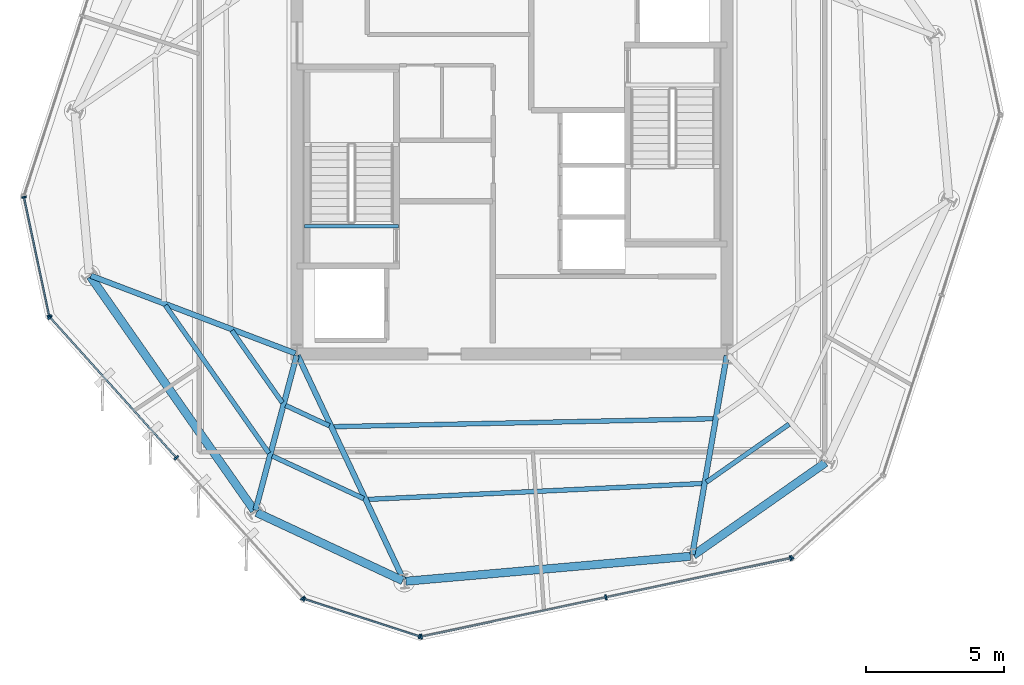
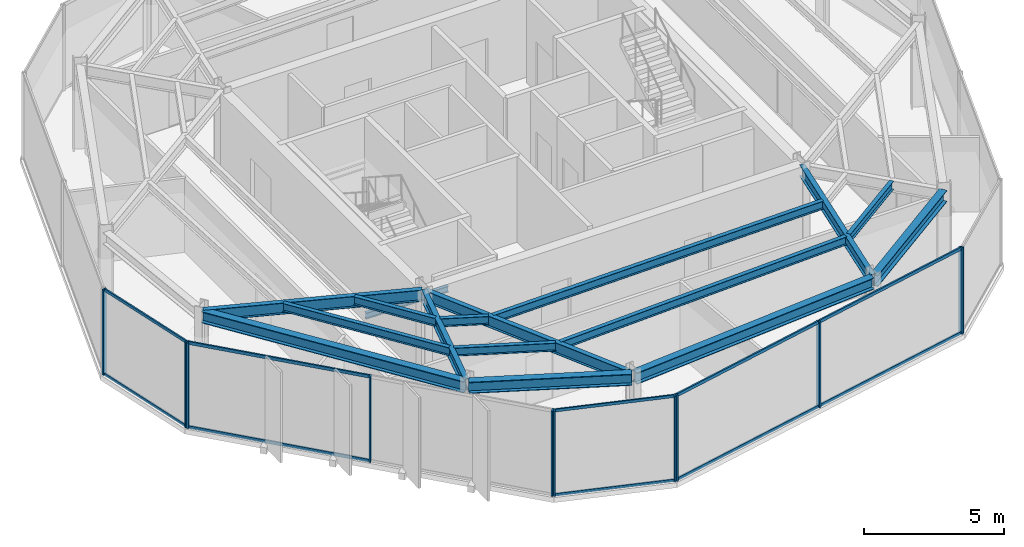
# One storey, part 2 of 13: 21 members, 16 beams, 5 elements without a shape of their own.
"""IFC4 building model written with IfcOpenShell, lengths in metres."""

from ifc_helpers import new_model, si_unit, direction, frame, origin, origin_2d, place, context, subcontext, project, spatial, rectangle, i_section, extrude, material, layer, layer_set, material_profile, profile_set, type_object, element, aggregate, save


model = new_model("IFC4")

# Units and contexts
model_context = context("Model", 3, precision=1e-05, world=origin(), true_north=direction((0.0, 1.0)))
body_context = subcontext(model_context, "Body", "Model", "MODEL_VIEW")
ifc_project = project(units=[si_unit("LENGTHUNIT", "METRE"), si_unit("AREAUNIT", "SQUARE_METRE"), si_unit("VOLUMEUNIT", "CUBIC_METRE"), si_unit("PLANEANGLEUNIT", "RADIAN"), si_unit("MASSUNIT", "GRAM", prefix="KILO")], contexts=[model_context])

# Site, building, storey
site_placement = place(None, origin())
site = spatial("IfcSite", under=ifc_project, at=site_placement, CompositionType="ELEMENT")
building_placement = place(site_placement, origin())
building = spatial("IfcBuilding", under=site, at=building_placement, Name="Kranzbogen Civic Tower", CompositionType="ELEMENT")
storey_placement = place(building_placement, frame((0.0, 0.0, 314.199951171875)))
storey = spatial("IfcBuildingStorey", under=building, at=storey_placement, Name="L76", CompositionType="ELEMENT", Elevation=314.199951171875)

# Curtain wall, members
ifc_material_1 = material(Name="Pale Anodised Aluminium", Category="aluminium")
ifc_layer_1 = layer(ifc_material_1, 0.219970703125, Name="Pale Anodised Aluminium")
ifc_layer_set_1 = layer_set([ifc_layer_1], Name="Pale Anodised Aluminium")
curtain_wall_type_1 = type_object("IfcCurtainWallType", Name="Chamfer Facet Stick Curtain Wall System CW-06", PredefinedType="USERDEFINED", material=ifc_layer_set_1)
curtain_wall_1_placement = place(storey_placement, origin())
curtain_wall_1 = element("IfcCurtainWall", 1, at=curtain_wall_1_placement, inside=storey, type_object=curtain_wall_type_1, Name="L76 curtain wall CW-L76-C2", ObjectType="STICK CURTAIN WALL", PredefinedType="USERDEFINED")
ifc_material_profile_1 = material_profile(ifc_material_1, rectangle(XDim=0.06005859375, YDim=0.159912109375, at=origin_2d()), Name="ALU-M 60x160")
ifc_profile_set_1 = profile_set([ifc_material_profile_1], Name="Pale Anodised Aluminium")
member_type_1 = type_object("IfcMemberType", Name="Curtain Wall Mullion ALU-M 60x160", PredefinedType="MULLION", material=ifc_profile_set_1)
member_1_placement = place(storey_placement, frame((7.294189453125, 23.48876953125, 0.0), z_axis=(0.0, 0.0, 1.0), x_axis=(0.207815902792, -0.978167956205, 0.0)))
member_1 = element("IfcMember", 2, at=member_1_placement, type_object=member_type_1, Name="CW-06 mullion 1", PredefinedType="MULLION", context=body_context, shape_type="SweptSolid", body=[
    extrude(rectangle(XDim=0.06005859375, YDim=0.159912109375, at=origin_2d()), origin(), (0.0, 0.0, 1.0), 3.739990234375),
])
member_2_placement = place(storey_placement, frame((8.209716796875, 19.179443359375, 0.0), z_axis=(0.0, 0.0, 1.0), x_axis=(0.207815902792, -0.978167956205, 0.0)))
member_2 = element("IfcMember", 3, at=member_2_placement, type_object=member_type_1, Name="CW-06 mullion 2", PredefinedType="MULLION", context=body_context, shape_type="SweptSolid", body=[
    extrude(rectangle(XDim=0.06005859375, YDim=0.159912109375, at=origin_2d()), origin(), (0.0, 0.0, 1.0), 3.739990234375),
])

curtain_wall_2_placement = place(storey_placement, origin())
curtain_wall_2 = element("IfcCurtainWall", 4, at=curtain_wall_2_placement, inside=storey, type_object=curtain_wall_type_1, Name="L76 curtain wall CW-L76-C3", ObjectType="STICK CURTAIN WALL", PredefinedType="USERDEFINED")
member_3_placement = place(storey_placement, frame((17.45654296875, 8.91064453125, 0.0), z_axis=(0.0, 0.0, 1.0), x_axis=(0.951030776673, -0.309096201564, 0.0)))
member_3 = element("IfcMember", 5, at=member_3_placement, type_object=member_type_1, Name="CW-06 mullion 1", PredefinedType="MULLION", context=body_context, shape_type="SweptSolid", body=[
    extrude(rectangle(XDim=0.06005859375, YDim=0.159912109375, at=origin_2d()), origin(), (0.0, 0.0, 1.0), 3.739990234375),
])
member_4_placement = place(storey_placement, frame((21.6455078125, 7.54931640625, 0.0), z_axis=(0.0, 0.0, 1.0), x_axis=(0.951030776673, -0.309096201564, 0.0)))
member_4 = element("IfcMember", 6, at=member_4_placement, type_object=member_type_1, Name="CW-06 mullion 2", PredefinedType="MULLION", context=body_context, shape_type="SweptSolid", body=[
    extrude(rectangle(XDim=0.06005859375, YDim=0.159912109375, at=origin_2d()), origin(), (0.0, 0.0, 1.0), 3.739990234375),
])

# Curtain wall, member
curtain_wall_3_placement = place(storey_placement, origin())
curtain_wall_3 = element("IfcCurtainWall", 7, at=curtain_wall_3_placement, inside=storey, type_object=curtain_wall_type_1, Name="L76 curtain wall CW-L76-C4", ObjectType="STICK CURTAIN WALL", PredefinedType="USERDEFINED")
member_5_placement = place(storey_placement, frame((35.162353515625, 10.422119140625, 0.0), z_axis=(0.0, 0.0, 1.0), x_axis=(0.743205037915, 0.669063727621, 0.0)))
member_5 = element("IfcMember", 8, at=member_5_placement, type_object=member_type_1, Name="CW-06 mullion 1", PredefinedType="MULLION", context=body_context, shape_type="SweptSolid", body=[
    extrude(rectangle(XDim=0.06005859375, YDim=0.159912109375, at=origin_2d()), origin(), (0.0, 0.0, 1.0), 3.739990234375),
])
aggregate(curtain_wall_3, [member_5])

# Curtain wall, members
ifc_layer_2 = layer(ifc_material_1, 0.219970703125, Name="Pale Anodised Aluminium")
ifc_layer_set_2 = layer_set([ifc_layer_2], Name="Pale Anodised Aluminium")
curtain_wall_type_2 = type_object("IfcCurtainWallType", Name="Zone 4 Stick Curtain Wall System CW-05", PredefinedType="USERDEFINED", material=ifc_layer_set_2)
curtain_wall_4_placement = place(storey_placement, origin())
curtain_wall_4 = element("IfcCurtainWall", 9, at=curtain_wall_4_placement, inside=storey, type_object=curtain_wall_type_2, Name="L76 curtain wall CW-L76-F3", ObjectType="STICK CURTAIN WALL", PredefinedType="USERDEFINED")
ifc_material_profile_2 = material_profile(ifc_material_1, rectangle(XDim=0.06494140625, YDim=0.179931640625, at=origin_2d()), Name="ALU-M 65x180")
ifc_profile_set_2 = profile_set([ifc_material_profile_2], Name="Pale Anodised Aluminium")
member_type_2 = type_object("IfcMemberType", Name="Curtain Wall Mullion ALU-M 65x180", PredefinedType="MULLION", material=ifc_profile_set_2)
member_6_placement = place(storey_placement, frame((8.236083984375, 19.127685546875, 0.0), z_axis=(0.0, 0.0, 1.0), x_axis=(0.669165371932, -0.743113520943, 0.0)))
member_6 = element("IfcMember", 10, at=member_6_placement, type_object=member_type_2, Name="CW-05 mullion 1", PredefinedType="MULLION", context=body_context, shape_type="SweptSolid", body=[
    extrude(rectangle(XDim=0.06494140625, YDim=0.179931640625, at=origin_2d()), origin(), (0.0, 0.0, 1.0), 3.739990234375),
])
member_7_placement = place(storey_placement, frame((12.822021484375, 14.034912109375, 0.0), z_axis=(0.0, 0.0, 1.0), x_axis=(0.669165371932, -0.743113520943, 0.0)))
member_7 = element("IfcMember", 11, at=member_7_placement, type_object=member_type_2, Name="CW-05 mullion 2", PredefinedType="MULLION", context=body_context, shape_type="SweptSolid", body=[
    extrude(rectangle(XDim=0.06494140625, YDim=0.179931640625, at=origin_2d()), origin(), (0.0, 0.0, 1.0), 3.739990234375),
])
member_8_placement = place(storey_placement, frame((17.407958984375, 8.9423828125, 0.0), z_axis=(0.0, 0.0, 1.0), x_axis=(0.669165371932, -0.743113520943, 0.0)))
member_8 = element("IfcMember", 12, at=member_8_placement, type_object=member_type_2, Name="CW-05 mullion 3", PredefinedType="MULLION", context=body_context, shape_type="SweptSolid", body=[
    extrude(rectangle(XDim=0.06494140625, YDim=0.179931640625, at=origin_2d()), origin(), (0.0, 0.0, 1.0), 3.739990234375),
])

curtain_wall_5_placement = place(storey_placement, origin())
curtain_wall_5 = element("IfcCurtainWall", 13, at=curtain_wall_5_placement, inside=storey, type_object=curtain_wall_type_2, Name="L76 curtain wall CW-L76-F4", ObjectType="STICK CURTAIN WALL", PredefinedType="USERDEFINED")
member_9_placement = place(storey_placement, frame((21.703369140625, 7.546142578125, 0.0), z_axis=(0.0, 0.0, 1.0), x_axis=(0.978151835177, 0.207891768333, 0.0)))
member_9 = element("IfcMember", 14, at=member_9_placement, type_object=member_type_2, Name="CW-05 mullion 1", PredefinedType="MULLION", context=body_context, shape_type="SweptSolid", body=[
    extrude(rectangle(XDim=0.06494140625, YDim=0.179931640625, at=origin_2d()), origin(), (0.0, 0.0, 1.0), 3.739990234375),
])
member_10_placement = place(storey_placement, frame((28.406982421875, 8.970947265625, 0.0), z_axis=(0.0, 0.0, 1.0), x_axis=(0.978151835177, 0.207891768333, 0.0)))
member_10 = element("IfcMember", 15, at=member_10_placement, type_object=member_type_2, Name="CW-05 mullion 2", PredefinedType="MULLION", context=body_context, shape_type="SweptSolid", body=[
    extrude(rectangle(XDim=0.06494140625, YDim=0.179931640625, at=origin_2d()), origin(), (0.0, 0.0, 1.0), 3.739990234375),
])
member_11_placement = place(storey_placement, frame((35.110595703125, 10.395751953125, 0.0), z_axis=(0.0, 0.0, 1.0), x_axis=(0.978151835177, 0.207891768333, 0.0)))
member_11 = element("IfcMember", 16, at=member_11_placement, type_object=member_type_2, Name="CW-05 mullion 3", PredefinedType="MULLION", context=body_context, shape_type="SweptSolid", body=[
    extrude(rectangle(XDim=0.06494140625, YDim=0.179931640625, at=origin_2d()), origin(), (0.0, 0.0, 1.0), 3.739990234375),
])

# Member
ifc_material_profile_3 = material_profile(ifc_material_1, rectangle(XDim=0.06005859375, YDim=0.1201171875, at=origin_2d()), Name="ALU-T 60x120")
ifc_profile_set_3 = profile_set([ifc_material_profile_3], Name="Pale Anodised Aluminium")
member_type_3 = type_object("IfcMemberType", Name="Curtain Wall Transom ALU-T 60x120", PredefinedType="USERDEFINED", material=ifc_profile_set_3)
member_12_placement = place(storey_placement, frame((7.300537109375, 23.459228515625, 0.030029296875), z_axis=(0.207825157763, -0.978165989902, 0.0), x_axis=(0.978165989902, 0.207825157763, 0.0)))
member_12 = element("IfcMember", 17, at=member_12_placement, type_object=member_type_3, Name="CW-06 transom 1.1", ObjectType="TRANSOM", PredefinedType="USERDEFINED", context=body_context, shape_type="SweptSolid", body=[
    extrude(rectangle(XDim=0.06005859375, YDim=0.1201171875, at=origin_2d()), origin(), (0.0, 0.0, 1.0), 4.345458984375),
])

member_13_placement = place(storey_placement, frame((7.300537109375, 23.459228515625, 3.7099609375), z_axis=(0.207825157763, -0.978165989902, 0.0), x_axis=(0.978165989902, 0.207825157763, 0.0)))
member_13 = element("IfcMember", 18, at=member_13_placement, type_object=member_type_3, Name="CW-06 transom 1.2", ObjectType="TRANSOM", PredefinedType="USERDEFINED", context=body_context, shape_type="SweptSolid", body=[
    extrude(rectangle(XDim=0.06005859375, YDim=0.1201171875, at=origin_2d()), origin(), (0.0, 0.0, 1.0), 4.345458984375),
])

aggregate(curtain_wall_1, [member_1, member_2, member_12, member_13])

member_14_placement = place(storey_placement, frame((17.485107421875, 8.9013671875, 0.030029296875), z_axis=(0.951039024161, -0.309070824444, 0.0), x_axis=(0.309070824444, 0.951039024161, 0.0)))
member_14 = element("IfcMember", 19, at=member_14_placement, type_object=member_type_3, Name="CW-06 transom 1.1", ObjectType="TRANSOM", PredefinedType="USERDEFINED", context=body_context, shape_type="SweptSolid", body=[
    extrude(rectangle(XDim=0.06005859375, YDim=0.1201171875, at=origin_2d()), origin(), (0.0, 0.0, 1.0), 4.344482421875),
])

member_15_placement = place(storey_placement, frame((17.485107421875, 8.9013671875, 3.7099609375), z_axis=(0.951039024161, -0.309070824444, 0.0), x_axis=(0.309070824444, 0.951039024161, 0.0)))
member_15 = element("IfcMember", 20, at=member_15_placement, type_object=member_type_3, Name="CW-06 transom 1.2", ObjectType="TRANSOM", PredefinedType="USERDEFINED", context=body_context, shape_type="SweptSolid", body=[
    extrude(rectangle(XDim=0.06005859375, YDim=0.1201171875, at=origin_2d()), origin(), (0.0, 0.0, 1.0), 4.344482421875),
])

aggregate(curtain_wall_2, [member_3, member_4, member_14, member_15])

ifc_material_profile_4 = material_profile(ifc_material_1, rectangle(XDim=0.06494140625, YDim=0.135009765625, at=origin_2d()), Name="ALU-T 65x135")
ifc_profile_set_4 = profile_set([ifc_material_profile_4], Name="Pale Anodised Aluminium")
member_type_4 = type_object("IfcMemberType", Name="Curtain Wall Transom ALU-T 65x135", PredefinedType="USERDEFINED", material=ifc_profile_set_4)
member_16_placement = place(storey_placement, frame((8.256103515625, 19.10546875, 0.030029296875), z_axis=(0.669177159139, -0.743102906526, 0.0), x_axis=(0.743102906526, 0.669177159139, 0.0)))
member_16 = element("IfcMember", 21, at=member_16_placement, type_object=member_type_4, Name="CW-05 transom 1.1", ObjectType="TRANSOM", PredefinedType="USERDEFINED", context=body_context, shape_type="SweptSolid", body=[
    extrude(rectangle(XDim=0.06494140625, YDim=0.135009765625, at=origin_2d()), origin(), (0.0, 0.0, 1.0), 6.793212890625),
])

member_17_placement = place(storey_placement, frame((8.256103515625, 19.10546875, 3.7099609375), z_axis=(0.669177159139, -0.743102906526, 0.0), x_axis=(0.743102906526, 0.669177159139, 0.0)))
member_17 = element("IfcMember", 22, at=member_17_placement, type_object=member_type_4, Name="CW-05 transom 1.2", ObjectType="TRANSOM", PredefinedType="USERDEFINED", context=body_context, shape_type="SweptSolid", body=[
    extrude(rectangle(XDim=0.06494140625, YDim=0.135009765625, at=origin_2d()), origin(), (0.0, 0.0, 1.0), 6.793212890625),
])

aggregate(curtain_wall_4, [member_6, member_7, member_8, member_16, member_17])

member_18_placement = place(storey_placement, frame((21.732666015625, 7.552490234375, 0.030029296875), z_axis=(0.978150264596, 0.207899157936, 0.0), x_axis=(-0.207899157936, 0.978150264596, 0.0)))
member_18 = element("IfcMember", 23, at=member_18_placement, type_object=member_type_4, Name="CW-05 transom 1.1", ObjectType="TRANSOM", PredefinedType="USERDEFINED", context=body_context, shape_type="SweptSolid", body=[
    extrude(rectangle(XDim=0.06494140625, YDim=0.135009765625, at=origin_2d()), origin(), (0.0, 0.0, 1.0), 6.79345703125),
])

member_19_placement = place(storey_placement, frame((21.732666015625, 7.552490234375, 3.7099609375), z_axis=(0.978150264596, 0.207899157936, 0.0), x_axis=(-0.207899157936, 0.978150264596, 0.0)))
member_19 = element("IfcMember", 24, at=member_19_placement, type_object=member_type_4, Name="CW-05 transom 1.2", ObjectType="TRANSOM", PredefinedType="USERDEFINED", context=body_context, shape_type="SweptSolid", body=[
    extrude(rectangle(XDim=0.06494140625, YDim=0.135009765625, at=origin_2d()), origin(), (0.0, 0.0, 1.0), 6.79345703125),
])

member_20_placement = place(storey_placement, frame((28.436279296875, 8.977294921875, 0.030029296875), z_axis=(0.978150264596, 0.207899157936, 0.0), x_axis=(-0.207899157936, 0.978150264596, 0.0)))
member_20 = element("IfcMember", 25, at=member_20_placement, type_object=member_type_4, Name="CW-05 transom 2.1", ObjectType="TRANSOM", PredefinedType="USERDEFINED", context=body_context, shape_type="SweptSolid", body=[
    extrude(rectangle(XDim=0.06494140625, YDim=0.135009765625, at=origin_2d()), origin(), (0.0, 0.0, 1.0), 6.79345703125),
])

member_21_placement = place(storey_placement, frame((28.436279296875, 8.977294921875, 3.7099609375), z_axis=(0.978150264596, 0.207899157936, 0.0), x_axis=(-0.207899157936, 0.978150264596, 0.0)))
member_21 = element("IfcMember", 26, at=member_21_placement, type_object=member_type_4, Name="CW-05 transom 2.2", ObjectType="TRANSOM", PredefinedType="USERDEFINED", context=body_context, shape_type="SweptSolid", body=[
    extrude(rectangle(XDim=0.06494140625, YDim=0.135009765625, at=origin_2d()), origin(), (0.0, 0.0, 1.0), 6.79345703125),
])

aggregate(curtain_wall_5, [member_9, member_10, member_11, member_18, member_19, member_20, member_21])

# Beams
ifc_material_2 = material(Name="Steel S355", Category="steel")
ifc_material_profile_5 = material_profile(ifc_material_2, i_section(OverallWidth=0.300048828125, OverallDepth=0.5, WebThickness=0.014404296875, FlangeThickness=0.028076171875, at=origin_2d()), Name="HEB 500")
ifc_profile_set_5 = profile_set([ifc_material_profile_5], Name="Steel S355")
beam_type_1 = type_object("IfcBeamType", Name="Perimeter Tube Spandrel Beam HEB 500", PredefinedType="SPANDREL", material=ifc_profile_set_5)
beam_1_placement = place(storey_placement, frame((9.699951171875, 20.612060546875, 3.489990234375), z_axis=(0.573577759301, -0.819151117948, 0.0), x_axis=(0.819151117948, 0.573577759301, 0.0)))
element("IfcBeam", 27, at=beam_1_placement, inside=storey, type_object=beam_type_1, Name="L76 perimeter spandrel beam 01", PredefinedType="SPANDREL", context=body_context, shape_type="SweptSolid", body=[
    extrude(i_section(OverallWidth=0.300048828125, OverallDepth=0.5, WebThickness=0.014404296875, FlangeThickness=0.028076171875, at=origin_2d()), origin(), (0.0, 0.0, 1.0), 10.36328125),
])
beam_2_placement = place(storey_placement, frame((15.73193359375, 12.049072265625, 3.489990234375), z_axis=(0.906289661556, -0.422657129784, 0.0), x_axis=(0.422657129784, 0.906289661556, 0.0)))
element("IfcBeam", 28, at=beam_2_placement, inside=storey, type_object=beam_type_1, Name="L76 perimeter spandrel beam 02", PredefinedType="SPANDREL", context=body_context, shape_type="SweptSolid", body=[
    extrude(i_section(OverallWidth=0.300048828125, OverallDepth=0.5, WebThickness=0.014404296875, FlangeThickness=0.028076171875, at=origin_2d()), origin(), (0.0, 0.0, 1.0), 5.853759765625),
])
beam_3_placement = place(storey_placement, frame((21.15087890625, 9.554931640625, 3.489990234375), z_axis=(0.996186373839, 0.087250837114, 0.0), x_axis=(-0.087250837114, 0.996186373839, 0.0)))
element("IfcBeam", 29, at=beam_3_placement, inside=storey, type_object=beam_type_1, Name="L76 perimeter spandrel beam 03", PredefinedType="SPANDREL", context=body_context, shape_type="SweptSolid", body=[
    extrude(i_section(OverallWidth=0.300048828125, OverallDepth=0.5, WebThickness=0.014404296875, FlangeThickness=0.028076171875, at=origin_2d()), origin(), (0.0, 0.0, 1.0), 10.361572265625),
])
beam_4_placement = place(storey_placement, frame((31.58203125, 10.498046875, 3.489990234375), z_axis=(0.819059436004, 0.57370867197, 0.0), x_axis=(-0.57370867197, 0.819059436004, 0.0)))
element("IfcBeam", 30, at=beam_4_placement, inside=storey, type_object=beam_type_1, Name="L76 perimeter spandrel beam 04", PredefinedType="SPANDREL", context=body_context, shape_type="SweptSolid", body=[
    extrude(i_section(OverallWidth=0.300048828125, OverallDepth=0.5, WebThickness=0.014404296875, FlangeThickness=0.028076171875, at=origin_2d()), origin(), (0.0, 0.0, 1.0), 5.85302734375),
])
ifc_material_profile_6 = material_profile(ifc_material_2, i_section(OverallWidth=0.199951171875, OverallDepth=0.5, WebThickness=0.01025390625, FlangeThickness=0.01611328125, at=origin_2d()), Name="IPE 500")
ifc_profile_set_6 = profile_set([ifc_material_profile_6], Name="Steel S355")
beam_type_2 = type_object("IfcBeamType", Name="Radial Tower Floor Girder IPE 500", PredefinedType="BEAM", material=ifc_profile_set_6)
beam_5_placement = place(storey_placement, frame((9.721923828125, 20.639892578125, 3.489990234375), z_axis=(0.934848709689, -0.355046320913, 0.0), x_axis=(0.355046320913, 0.934848709689, 0.0)))
element("IfcBeam", 31, at=beam_5_placement, inside=storey, type_object=beam_type_2, Name="L76 radial floor girder 01", PredefinedType="BEAM", context=body_context, shape_type="SweptSolid", body=[
    extrude(i_section(OverallWidth=0.199951171875, OverallDepth=0.5, WebThickness=0.01025390625, FlangeThickness=0.01611328125, at=origin_2d()), origin(), (0.0, 0.0, 1.0), 7.939453125),
])
beam_6_placement = place(storey_placement, frame((15.693115234375, 12.132080078125, 3.489990234375), z_axis=(0.257016017622, 0.966407143333, 0.0), x_axis=(-0.966407143333, 0.257016017622, 0.0)))
element("IfcBeam", 32, at=beam_6_placement, inside=storey, type_object=beam_type_2, Name="L76 radial floor girder 02", PredefinedType="BEAM", context=body_context, shape_type="SweptSolid", body=[
    extrude(i_section(OverallWidth=0.199951171875, OverallDepth=0.5, WebThickness=0.01025390625, FlangeThickness=0.01611328125, at=origin_2d()), origin(), (0.0, 0.0, 1.0), 5.804931640625),
])
beam_7_placement = place(storey_placement, frame((21.06494140625, 9.60400390625, 3.489990234375), z_axis=(-0.426460441273, 0.904506214478, 0.0), x_axis=(-0.904506214478, -0.426460441273, 0.0)))
element("IfcBeam", 33, at=beam_7_placement, inside=storey, type_object=beam_type_2, Name="L76 radial floor girder 03", PredefinedType="BEAM", context=body_context, shape_type="SweptSolid", body=[
    extrude(i_section(OverallWidth=0.199951171875, OverallDepth=0.5, WebThickness=0.01025390625, FlangeThickness=0.01611328125, at=origin_2d()), origin(), (0.0, 0.0, 1.0), 9.001708984375),
])
beam_8_placement = place(storey_placement, frame((31.54296875, 10.52294921875, 3.489990234375), z_axis=(0.170249558486, 0.985400978199, 0.0), x_axis=(-0.985400978199, 0.170249558486, 0.0)))
element("IfcBeam", 34, at=beam_8_placement, inside=storey, type_object=beam_type_2, Name="L76 radial floor girder 04", PredefinedType="BEAM", context=body_context, shape_type="SweptSolid", body=[
    extrude(i_section(OverallWidth=0.199951171875, OverallDepth=0.5, WebThickness=0.01025390625, FlangeThickness=0.01611328125, at=origin_2d()), origin(), (0.0, 0.0, 1.0), 7.324951171875),
])
ifc_material_profile_7 = material_profile(ifc_material_2, i_section(OverallWidth=0.169921875, OverallDepth=0.360107421875, WebThickness=0.008056640625, FlangeThickness=0.0126953125, at=origin_2d()), Name="IPE 360")
ifc_profile_set_7 = profile_set([ifc_material_profile_7], Name="Steel S355")
beam_type_3 = type_object("IfcBeamType", Name="Secondary Composite Floor Joist IPE 360", PredefinedType="JOIST", material=ifc_profile_set_7)
beam_9_placement = place(storey_placement, frame((12.424072265625, 19.56591796875, 3.56005859375), z_axis=(0.573499872939, -0.819205649235, 0.0), x_axis=(0.819205649235, 0.573499872939, 0.0)))
element("IfcBeam", 35, at=beam_9_placement, inside=storey, type_object=beam_type_3, Name="L76 secondary floor joist 1.01", PredefinedType="JOIST", context=body_context, shape_type="SweptSolid", body=[
    extrude(i_section(OverallWidth=0.169921875, OverallDepth=0.360107421875, WebThickness=0.008056640625, FlangeThickness=0.0126953125, at=origin_2d()), origin(), (0.0, 0.0, 1.0), 6.549072265625),
])
beam_10_placement = place(storey_placement, frame((14.8349609375, 18.64990234375, 3.56005859375), z_axis=(0.573498248491, -0.819206786457, 0.0), x_axis=(0.819206786457, 0.573498248491, 0.0)))
element("IfcBeam", 36, at=beam_10_placement, inside=storey, type_object=beam_type_3, Name="L76 secondary floor joist 2.01", PredefinedType="JOIST", context=body_context, shape_type="SweptSolid", body=[
    extrude(i_section(OverallWidth=0.169921875, OverallDepth=0.360107421875, WebThickness=0.008056640625, FlangeThickness=0.0126953125, at=origin_2d()), origin(), (0.0, 0.0, 1.0), 3.194580078125),
])
beam_11_placement = place(storey_placement, frame((16.298095703125, 14.10205078125, 3.56005859375), z_axis=(0.906303996948, -0.422626389517, 0.0), x_axis=(0.422626389517, 0.906303996948, 0.0)))
element("IfcBeam", 37, at=beam_11_placement, inside=storey, type_object=beam_type_3, Name="L76 secondary floor joist 1.02", PredefinedType="JOIST", context=body_context, shape_type="SweptSolid", body=[
    extrude(i_section(OverallWidth=0.169921875, OverallDepth=0.360107421875, WebThickness=0.008056640625, FlangeThickness=0.0126953125, at=origin_2d()), origin(), (0.0, 0.0, 1.0), 3.6630859375),
])
beam_12_placement = place(storey_placement, frame((16.784912109375, 15.93408203125, 3.56005859375), z_axis=(0.906432174342, -0.422351409751, 0.0), x_axis=(0.422351409751, 0.906432174342, 0.0)))
element("IfcBeam", 38, at=beam_12_placement, inside=storey, type_object=beam_type_3, Name="L76 secondary floor joist 2.02", PredefinedType="JOIST", context=body_context, shape_type="SweptSolid", body=[
    extrude(i_section(OverallWidth=0.169921875, OverallDepth=0.360107421875, WebThickness=0.008056640625, FlangeThickness=0.0126953125, at=origin_2d()), origin(), (0.0, 0.0, 1.0), 1.751953125),
])
beam_13_placement = place(storey_placement, frame((19.77001953125, 12.52392578125, 3.56005859375), z_axis=(0.998871634781, 0.047491654324, 0.0), x_axis=(-0.047491654324, 0.998871634781, 0.0)))
element("IfcBeam", 39, at=beam_13_placement, inside=storey, type_object=beam_type_3, Name="L76 secondary floor joist 1.03", PredefinedType="JOIST", context=body_context, shape_type="SweptSolid", body=[
    extrude(i_section(OverallWidth=0.169921875, OverallDepth=0.360107421875, WebThickness=0.008056640625, FlangeThickness=0.0126953125, at=origin_2d()), origin(), (0.0, 0.0, 1.0), 12.152587890625),
])
beam_14_placement = place(storey_placement, frame((18.52490234375, 15.162109375, 3.56005859375), z_axis=(0.999780746893, 0.020939392104, 0.0), x_axis=(-0.020939392104, 0.999780746893, 0.0)))
element("IfcBeam", 40, at=beam_14_placement, inside=storey, type_object=beam_type_3, Name="L76 secondary floor joist 2.03", PredefinedType="JOIST", context=body_context, shape_type="SweptSolid", body=[
    extrude(i_section(OverallWidth=0.169921875, OverallDepth=0.360107421875, WebThickness=0.008056640625, FlangeThickness=0.0126953125, at=origin_2d()), origin(), (0.0, 0.0, 1.0), 13.79296875),
])
beam_15_placement = place(storey_placement, frame((32.054931640625, 13.15087890625, 3.56005859375), z_axis=(0.819006333711, 0.573784476385, 0.0), x_axis=(-0.573784476385, 0.819006333711, 0.0)))
element("IfcBeam", 41, at=beam_15_placement, inside=storey, type_object=beam_type_3, Name="L76 secondary floor joist 1.04", PredefinedType="JOIST", context=body_context, shape_type="SweptSolid", body=[
    extrude(i_section(OverallWidth=0.169921875, OverallDepth=0.360107421875, WebThickness=0.008056640625, FlangeThickness=0.0126953125, at=origin_2d()), origin(), (0.0, 0.0, 1.0), 3.661865234375),
])
ifc_material_profile_8 = material_profile(ifc_material_2, i_section(OverallWidth=0.135009765625, OverallDepth=0.27001953125, WebThickness=0.006591796875, FlangeThickness=0.01025390625, at=origin_2d()), Name="IPE 270")
ifc_profile_set_8 = profile_set([ifc_material_profile_8], Name="Steel S355")
beam_type_4 = type_object("IfcBeamType", Name="Stair Landing Support Beam IPE 270", PredefinedType="JOIST", material=ifc_profile_set_8)
beam_16_placement = place(storey_placement, frame((20.8798828125, 22.43994140625, -0.35498046875), z_axis=(-1.0, 0.0, 0.0), x_axis=(0.0, -1.0, 0.0)))
element("IfcBeam", 42, at=beam_16_placement, inside=storey, type_object=beam_type_4, Name="L76 ST-T1 stair floor header beam", PredefinedType="JOIST", context=body_context, shape_type="SweptSolid", body=[
    extrude(i_section(OverallWidth=0.135009765625, OverallDepth=0.27001953125, WebThickness=0.006591796875, FlangeThickness=0.01025390625, at=origin_2d()), origin(), (0.0, 0.0, 1.0), 3.409912109375),
])

save(model, "model.ifc")
